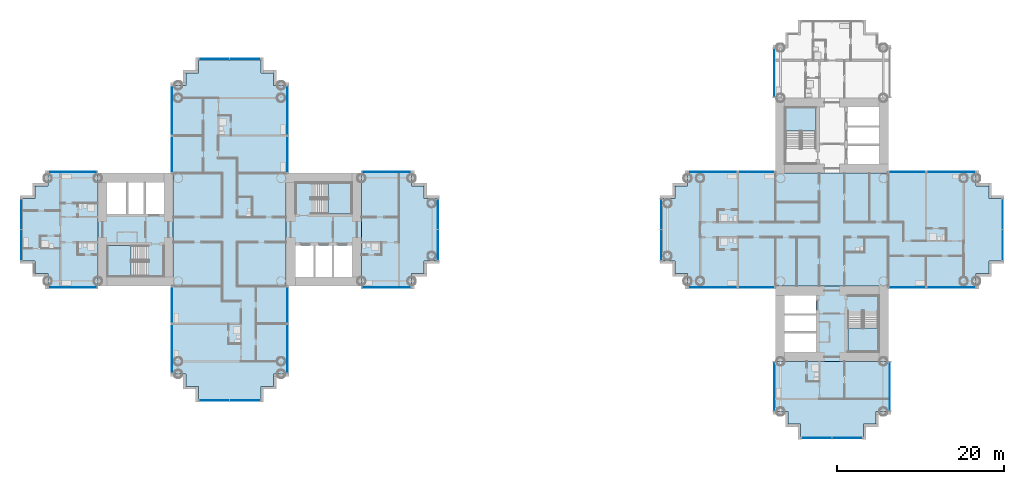
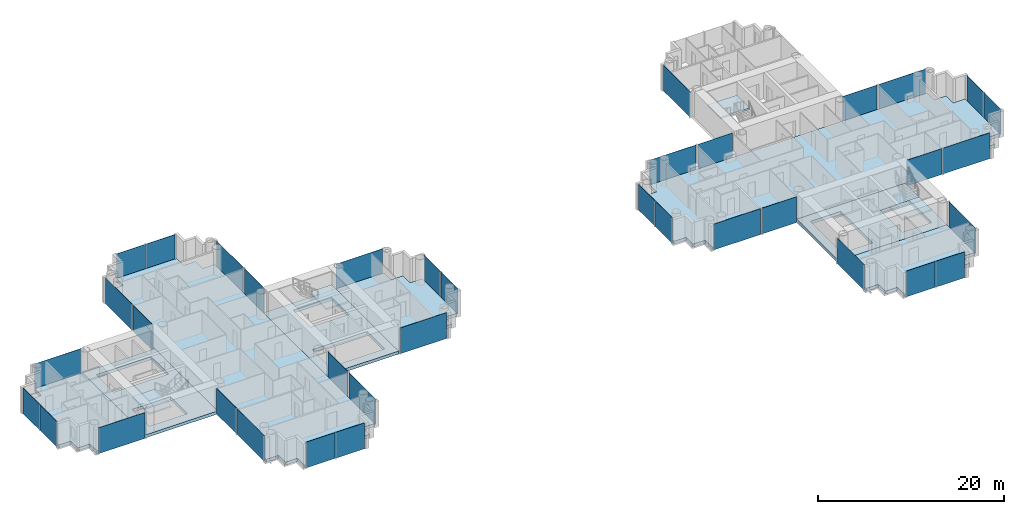
# One storey, part 7 of 21: 37 plates, 12 slabs, 34 elements without a shape of their own.
"""IFC4 building model written with IfcOpenShell, lengths in metres."""

from ifc_helpers import new_model, si_unit, direction, frame, origin, origin_2d, place, context, subcontext, project, spatial, polyline, rectangle, outline, extrude, material, layer, layer_set, type_object, element, aggregate, save


model = new_model("IFC4")

# Units and contexts
model_context = context("Model", 3, precision=1e-05, world=origin(), true_north=direction((0.0, 1.0)))
body_context = subcontext(model_context, "Body", "Model", "MODEL_VIEW")
ifc_project = project(units=[si_unit("LENGTHUNIT", "METRE"), si_unit("AREAUNIT", "SQUARE_METRE"), si_unit("VOLUMEUNIT", "CUBIC_METRE"), si_unit("PLANEANGLEUNIT", "RADIAN"), si_unit("MASSUNIT", "GRAM", prefix="KILO")], contexts=[model_context])

# Site, building, storey
site_placement = place(None, origin())
site = spatial("IfcSite", under=ifc_project, at=site_placement, CompositionType="ELEMENT")
building_placement = place(site_placement, origin())
building = spatial("IfcBuilding", under=site, at=building_placement, Name="Ipe Terrace Towers", CompositionType="ELEMENT")
storey_placement = place(building_placement, frame((0.0, 0.0, 34.699951171875)))
storey = spatial("IfcBuildingStorey", under=building, at=storey_placement, Name="L08", CompositionType="ELEMENT", Elevation=34.699951171875)

# Slabs
ifc_material_1 = material(Name="Concrete C30/37", Category="concrete")
ifc_layer_1 = layer(ifc_material_1, 0.39990234375)
ifc_layer_set_1 = layer_set([ifc_layer_1], Name="CORE FLOOR SLAB 400 C30-37")
slab_type_1 = type_object("IfcSlabType", Name="CORE FLOOR SLAB 400 C30-37", PredefinedType="FLOOR", material=ifc_layer_set_1)
slab_1_placement = place(storey_placement, frame((0.0, 0.0, -0.39990234375)))
element("IfcSlab", 1, at=slab_1_placement, inside=storey, type_object=slab_type_1, Name="Core floor T1-C1", PredefinedType="FLOOR", context=body_context, shape_type="SweptSolid", body=[
    extrude(outline(polyline([(-29.25, -6.75), (-29.25, 6.75), (-20.25, 6.75), (-20.25, -6.75), (-29.25, -6.75)]), holes=[polyline([(-28.14990234375, -5.64990234375), (-21.35009765625, -5.64990234375), (-21.35009765625, -1.89990234375), (-28.14990234375, -1.89990234375), (-28.14990234375, -5.64990234375)]), polyline([(-26.199951171875, 5.550048828125), (-26.199951171875, 1.89990234375), (-21.449951171875, 1.89990234375), (-21.449951171875, 5.550048828125), (-26.199951171875, 5.550048828125)])]), origin(), (0.0, 0.0, 1.0), 0.39990234375),
])
slab_2_placement = place(storey_placement, frame((0.0, 0.0, -0.39990234375)))
element("IfcSlab", 2, at=slab_2_placement, inside=storey, type_object=slab_type_1, Name="Core floor T1-C2", PredefinedType="FLOOR", context=body_context, shape_type="SweptSolid", body=[
    extrude(outline(polyline([(-51.75, -6.75), (-51.75, 6.75), (-42.75, 6.75), (-42.75, -6.75), (-51.75, -6.75)]), holes=[polyline([(-45.800048828125, -5.550048828125), (-45.800048828125, -1.89990234375), (-50.550048828125, -1.89990234375), (-50.550048828125, -5.550048828125), (-45.800048828125, -5.550048828125)]), polyline([(-50.64990234375, 1.89990234375), (-43.85009765625, 1.89990234375), (-43.85009765625, 5.64990234375), (-50.64990234375, 5.64990234375), (-50.64990234375, 1.89990234375)])]), origin(), (0.0, 0.0, 1.0), 0.39990234375),
])
slab_3_placement = place(storey_placement, frame((0.0, 0.0, -0.39990234375)))
element("IfcSlab", 3, at=slab_3_placement, inside=storey, type_object=slab_type_1, Name="Core floor T2-C2", PredefinedType="FLOOR", context=body_context, shape_type="SweptSolid", body=[
    extrude(outline(polyline([(29.25, -15.75), (29.25, -6.75), (42.75, -6.75), (42.75, -15.75), (29.25, -15.75)]), holes=[polyline([(34.10009765625, -14.64990234375), (34.10009765625, -7.85009765625), (30.35009765625, -7.85009765625), (30.35009765625, -14.64990234375), (34.10009765625, -14.64990234375)]), polyline([(41.550048828125, -9.800048828125), (37.89990234375, -9.800048828125), (37.89990234375, -14.550048828125), (41.550048828125, -14.550048828125), (41.550048828125, -9.800048828125)])]), origin(), (0.0, 0.0, 1.0), 0.39990234375),
])

# Stair, slab
ifc_material_2 = material(Name="Concrete C30/37", Category="concrete")
stair_type = type_object("IfcStairType", Name="Protected exit stair", PredefinedType="HALF_TURN_STAIR", material=ifc_material_2)
stair_1_placement = place(storey_placement, origin())
stair_1 = element("IfcStair", 4, at=stair_1_placement, inside=storey, type_object=stair_type, Name="L08 Exit stair T1-C1", PredefinedType="HALF_TURN_STAIR")
ifc_material_3 = material(Name="Concrete C30/37", Category="concrete")
ifc_layer_2 = layer(ifc_material_3, 0.199951171875)
ifc_layer_set_2 = layer_set([ifc_layer_2], Name="Exit stair landing 200")
slab_type_2 = type_object("IfcSlabType", Name="Exit stair landing 200", PredefinedType="LANDING", material=ifc_layer_set_2)
slab_4_placement = place(storey_placement, frame((0.0, 0.0, 1.5)))
slab_4 = element("IfcSlab", 5, at=slab_4_placement, type_object=slab_type_2, Name="T1-ST1 landing 1", PredefinedType="LANDING", context=body_context, shape_type="SweptSolid", body=[
    extrude(outline(polyline([(-24.219970703125, 1.89990234375), (-21.449951171875, 1.89990234375), (-21.449951171875, 5.550048828125), (-24.219970703125, 5.550048828125), (-24.219970703125, 1.89990234375)])), origin(), (0.0, 0.0, 1.0), 0.199951171875),
])
aggregate(stair_1, [slab_4])

stair_2_placement = place(storey_placement, origin())
stair_2 = element("IfcStair", 6, at=stair_2_placement, inside=storey, type_object=stair_type, Name="L08 Exit stair T1-C2", PredefinedType="HALF_TURN_STAIR")
slab_5_placement = place(storey_placement, frame((0.0, 0.0, 1.5)))
slab_5 = element("IfcSlab", 7, at=slab_5_placement, type_object=slab_type_2, Name="T1-ST2 landing 1", PredefinedType="LANDING", context=body_context, shape_type="SweptSolid", body=[
    extrude(outline(polyline([(-47.780029296875, -1.89990234375), (-50.550048828125, -1.89990234375), (-50.550048828125, -5.550048828125), (-47.780029296875, -5.550048828125), (-47.780029296875, -1.89990234375)])), origin(), (0.0, 0.0, 1.0), 0.199951171875),
])
aggregate(stair_2, [slab_5])

stair_3_placement = place(storey_placement, origin())
stair_3 = element("IfcStair", 8, at=stair_3_placement, inside=storey, type_object=stair_type, Name="L08 Exit stair T2-C1", PredefinedType="HALF_TURN_STAIR")
slab_6_placement = place(storey_placement, frame((0.0, 0.0, 1.5)))
slab_6 = element("IfcSlab", 9, at=slab_6_placement, type_object=slab_type_2, Name="T2-ST1 landing 1", PredefinedType="LANDING", context=body_context, shape_type="SweptSolid", body=[
    extrude(outline(polyline([(34.10009765625, 11.780029296875), (34.10009765625, 14.550048828125), (30.449951171875, 14.550048828125), (30.449951171875, 11.780029296875), (34.10009765625, 11.780029296875)])), origin(), (0.0, 0.0, 1.0), 0.199951171875),
])
aggregate(stair_3, [slab_6])

stair_4_placement = place(storey_placement, origin())
stair_4 = element("IfcStair", 10, at=stair_4_placement, inside=storey, type_object=stair_type, Name="L08 Exit stair T2-C2", PredefinedType="HALF_TURN_STAIR")
slab_7_placement = place(storey_placement, frame((0.0, 0.0, 1.5)))
slab_7 = element("IfcSlab", 11, at=slab_7_placement, type_object=slab_type_2, Name="T2-ST2 landing 1", PredefinedType="LANDING", context=body_context, shape_type="SweptSolid", body=[
    extrude(outline(polyline([(37.89990234375, -11.780029296875), (37.89990234375, -14.550048828125), (41.550048828125, -14.550048828125), (41.550048828125, -11.780029296875), (37.89990234375, -11.780029296875)])), origin(), (0.0, 0.0, 1.0), 0.199951171875),
])
aggregate(stair_4, [slab_7])

# Slabs
ifc_material_4 = material(Name="Concrete C40/50", Category="concrete")
ifc_layer_3 = layer(ifc_material_4, 0.39990234375)
ifc_layer_set_3 = layer_set([ifc_layer_3], Name="FLAT PLATE SLAB 400 C40-50")
slab_type_3 = type_object("IfcSlabType", Name="FLAT PLATE SLAB 400 C40-50", PredefinedType="FLOOR", material=ifc_layer_set_3)
slab_8_placement = place(storey_placement, frame((0.0, 0.0, -0.39990234375)))
element("IfcSlab", 12, at=slab_8_placement, inside=storey, type_object=slab_type_3, Name="Slab T1-FS-Z11", PredefinedType="FLOOR", context=body_context, shape_type="SweptSolid", body=[
    extrude(outline(polyline([(-30.75, -17.25), (-30.75, -18.75), (-32.25, -18.75), (-32.25, -20.25), (-39.75, -20.25), (-39.75, -18.75), (-41.25, -18.75), (-41.25, -17.25), (-42.75, -17.25), (-42.75, -6.75), (-42.75, 6.75), (-42.75, 17.25), (-41.25, 17.25), (-41.25, 18.75), (-39.75, 18.75), (-39.75, 20.25), (-32.25, 20.25), (-32.25, 18.75), (-30.75, 18.75), (-30.75, 17.25), (-29.25, 17.25), (-29.25, 6.75), (-29.25, -6.75), (-29.25, -17.25), (-30.75, -17.25)])), origin(), (0.0, 0.0, 1.0), 0.39990234375),
])
slab_9_placement = place(storey_placement, frame((0.0, 0.0, -0.39990234375)))
element("IfcSlab", 13, at=slab_9_placement, inside=storey, type_object=slab_type_3, Name="Slab T1-FS-Z12", PredefinedType="FLOOR", context=body_context, shape_type="SweptSolid", body=[
    extrude(outline(polyline([(-57.75, -6.75), (-57.75, -5.25), (-59.25, -5.25), (-59.25, -3.75), (-60.75, -3.75), (-60.75, 3.75), (-59.25, 3.75), (-59.25, 5.25), (-57.75, 5.25), (-57.75, 6.75), (-51.75, 6.75), (-51.75, -6.75), (-57.75, -6.75)])), origin(), (0.0, 0.0, 1.0), 0.39990234375),
])
slab_10_placement = place(storey_placement, frame((0.0, 0.0, -0.39990234375)))
element("IfcSlab", 14, at=slab_10_placement, inside=storey, type_object=slab_type_3, Name="Slab T1-FS-Z13", PredefinedType="FLOOR", context=body_context, shape_type="SweptSolid", body=[
    extrude(outline(polyline([(-14.25, 5.25), (-12.75, 5.25), (-12.75, 3.75), (-11.25, 3.75), (-11.25, -3.75), (-12.75, -3.75), (-12.75, -5.25), (-14.25, -5.25), (-14.25, -6.75), (-20.25, -6.75), (-20.25, 6.75), (-14.25, 6.75), (-14.25, 5.25)])), origin(), (0.0, 0.0, 1.0), 0.39990234375),
])
slab_11_placement = place(storey_placement, frame((0.0, 0.0, -0.39990234375)))
element("IfcSlab", 15, at=slab_11_placement, inside=storey, type_object=slab_type_3, Name="Slab T2-FS-Z11", PredefinedType="FLOOR", context=body_context, shape_type="SweptSolid", body=[
    extrude(outline(polyline([(53.25, 5.25), (54.75, 5.25), (54.75, 3.75), (56.25, 3.75), (56.25, -3.75), (54.75, -3.75), (54.75, -5.25), (53.25, -5.25), (53.25, -6.75), (42.75, -6.75), (29.25, -6.75), (18.75, -6.75), (18.75, -5.25), (17.25, -5.25), (17.25, -3.75), (15.75, -3.75), (15.75, 3.75), (17.25, 3.75), (17.25, 5.25), (18.75, 5.25), (18.75, 6.75), (29.25, 6.75), (42.75, 6.75), (53.25, 6.75), (53.25, 5.25)])), origin(), (0.0, 0.0, 1.0), 0.39990234375),
])
slab_12_placement = place(storey_placement, frame((0.0, 0.0, -0.39990234375)))
element("IfcSlab", 16, at=slab_12_placement, inside=storey, type_object=slab_type_3, Name="Slab T2-FS-Z12", PredefinedType="FLOOR", context=body_context, shape_type="SweptSolid", body=[
    extrude(outline(polyline([(42.75, -21.75), (41.25, -21.75), (41.25, -23.25), (39.75, -23.25), (39.75, -24.75), (32.25, -24.75), (32.25, -23.25), (30.75, -23.25), (30.75, -21.75), (29.25, -21.75), (29.25, -15.75), (42.75, -15.75), (42.75, -21.75)])), origin(), (0.0, 0.0, 1.0), 0.39990234375),
])

# Curtain wall, plate
ifc_material_5 = material(Name="Aluminium alloy 6063-T6", Category="aluminium")
ifc_layer_4 = layer(ifc_material_5, 0.320068359375)
ifc_layer_set_4 = layer_set([ifc_layer_4], Name="TOWER UNITISED CURTAIN WALL")
curtain_wall_type = type_object("IfcCurtainWallType", Name="TOWER UNITISED CURTAIN WALL", PredefinedType="NOTDEFINED", material=ifc_layer_set_4)
curtain_wall_1_placement = place(storey_placement, origin())
curtain_wall_1 = element("IfcCurtainWall", 17, at=curtain_wall_1_placement, inside=storey, type_object=curtain_wall_type, Name="T1-CW-L08-04a curtain wall", PredefinedType="NOTDEFINED")
ifc_material_6 = material(Name="Glass, clear laminated", Category="glass")
ifc_layer_5 = layer(ifc_material_6, 0.031982421875)
ifc_layer_set_5 = layer_set([ifc_layer_5], Name="TOWER UNITISED GLASS PANEL 32")
plate_type = type_object("IfcPlateType", Name="TOWER UNITISED GLASS PANEL 32", PredefinedType="CURTAIN_PANEL", material=ifc_layer_set_5)
plate_1_placement = place(storey_placement, frame((-54.75048828125, -6.909912109375, -0.2998046875), z_axis=(0.0, 0.0, 1.0), x_axis=(1.0, 0.0, 0.0)))
plate_1 = element("IfcPlate", 18, at=plate_1_placement, type_object=plate_type, Name="T1-CW-L08-04a panel 1", PredefinedType="CURTAIN_PANEL", context=body_context, shape_type="SweptSolid", body=[
    extrude(rectangle(XDim=5.759033203125, YDim=0.031982421875, at=origin_2d()), origin(), (0.0, 0.0, 1.0), 3.39990234375),
])
aggregate(curtain_wall_1, [plate_1])

curtain_wall_2_placement = place(storey_placement, origin())
curtain_wall_2 = element("IfcCurtainWall", 19, at=curtain_wall_2_placement, inside=storey, type_object=curtain_wall_type, Name="T1-CW-L08-06a curtain wall", PredefinedType="NOTDEFINED")
plate_2_placement = place(storey_placement, frame((-42.909912109375, -9.0, -0.2998046875), z_axis=(0.0, 0.0, 1.0), x_axis=(0.0, -1.0, 0.0)))
plate_2 = element("IfcPlate", 20, at=plate_2_placement, type_object=plate_type, Name="T1-CW-L08-06a panel 1", PredefinedType="CURTAIN_PANEL", context=body_context, shape_type="SweptSolid", body=[
    extrude(rectangle(XDim=4.260009765625, YDim=0.031982421875, at=origin_2d()), origin(), (0.0, 0.0, 1.0), 3.39990234375),
])
aggregate(curtain_wall_2, [plate_2])

curtain_wall_3_placement = place(storey_placement, origin())
curtain_wall_3 = element("IfcCurtainWall", 21, at=curtain_wall_3_placement, inside=storey, type_object=curtain_wall_type, Name="T1-CW-L08-07a curtain wall", PredefinedType="NOTDEFINED")
plate_3_placement = place(storey_placement, frame((-42.909912109375, -14.25, -0.2998046875), z_axis=(0.0, 0.0, 1.0), x_axis=(0.0, -1.0, 0.0)))
plate_3 = element("IfcPlate", 22, at=plate_3_placement, type_object=plate_type, Name="T1-CW-L08-07a panel 1", PredefinedType="CURTAIN_PANEL", context=body_context, shape_type="SweptSolid", body=[
    extrude(rectangle(XDim=5.760009765625, YDim=0.031982421875, at=origin_2d()), origin(), (0.0, 0.0, 1.0), 3.39990234375),
])
aggregate(curtain_wall_3, [plate_3])

# Curtain wall, plates
curtain_wall_4_placement = place(storey_placement, origin())
curtain_wall_4 = element("IfcCurtainWall", 23, at=curtain_wall_4_placement, inside=storey, type_object=curtain_wall_type, Name="T1-CW-L08-12a curtain wall", PredefinedType="NOTDEFINED")
plate_4_placement = place(storey_placement, frame((-37.831298828125, -20.409912109375, -0.2998046875), z_axis=(0.0, 0.0, 1.0), x_axis=(1.0, 0.0, 0.0)))
plate_4 = element("IfcPlate", 24, at=plate_4_placement, type_object=plate_type, Name="T1-CW-L08-12a panel 1", PredefinedType="CURTAIN_PANEL", context=body_context, shape_type="SweptSolid", body=[
    extrude(rectangle(XDim=3.597412109375, YDim=0.031982421875, at=origin_2d()), origin(), (0.0, 0.0, 1.0), 3.39990234375),
])
plate_5_placement = place(storey_placement, frame((-34.168701171875, -20.409912109375, -0.2998046875), z_axis=(0.0, 0.0, 1.0), x_axis=(1.0, 0.0, 0.0)))
plate_5 = element("IfcPlate", 25, at=plate_5_placement, type_object=plate_type, Name="T1-CW-L08-12a panel 2", PredefinedType="CURTAIN_PANEL", context=body_context, shape_type="SweptSolid", body=[
    extrude(rectangle(XDim=3.597412109375, YDim=0.031982421875, at=origin_2d()), origin(), (0.0, 0.0, 1.0), 3.39990234375),
])
aggregate(curtain_wall_4, [plate_4, plate_5])

# Curtain wall, plate
curtain_wall_5_placement = place(storey_placement, origin())
curtain_wall_5 = element("IfcCurtainWall", 26, at=curtain_wall_5_placement, inside=storey, type_object=curtain_wall_type, Name="T1-CW-L08-17a curtain wall", PredefinedType="NOTDEFINED")
plate_6_placement = place(storey_placement, frame((-29.090087890625, -14.25, -0.2998046875), z_axis=(0.0, 0.0, 1.0), x_axis=(0.0, 1.0, 0.0)))
plate_6 = element("IfcPlate", 27, at=plate_6_placement, type_object=plate_type, Name="T1-CW-L08-17a panel 1", PredefinedType="CURTAIN_PANEL", context=body_context, shape_type="SweptSolid", body=[
    extrude(rectangle(XDim=5.760009765625, YDim=0.031982421875, at=origin_2d()), origin(), (0.0, 0.0, 1.0), 3.39990234375),
])
aggregate(curtain_wall_5, [plate_6])

curtain_wall_6_placement = place(storey_placement, origin())
curtain_wall_6 = element("IfcCurtainWall", 28, at=curtain_wall_6_placement, inside=storey, type_object=curtain_wall_type, Name="T1-CW-L08-18a curtain wall", PredefinedType="NOTDEFINED")
plate_7_placement = place(storey_placement, frame((-29.090087890625, -9.0, -0.2998046875), z_axis=(0.0, 0.0, 1.0), x_axis=(0.0, 1.0, 0.0)))
plate_7 = element("IfcPlate", 29, at=plate_7_placement, type_object=plate_type, Name="T1-CW-L08-18a panel 1", PredefinedType="CURTAIN_PANEL", context=body_context, shape_type="SweptSolid", body=[
    extrude(rectangle(XDim=4.260009765625, YDim=0.031982421875, at=origin_2d()), origin(), (0.0, 0.0, 1.0), 3.39990234375),
])
aggregate(curtain_wall_6, [plate_7])

curtain_wall_7_placement = place(storey_placement, origin())
curtain_wall_7 = element("IfcCurtainWall", 30, at=curtain_wall_7_placement, inside=storey, type_object=curtain_wall_type, Name="T1-CW-L08-20b curtain wall", PredefinedType="NOTDEFINED")
plate_8_placement = place(storey_placement, frame((-17.24951171875, -6.909912109375, -0.2998046875), z_axis=(0.0, 0.0, 1.0), x_axis=(1.0, 0.0, 0.0)))
plate_8 = element("IfcPlate", 31, at=plate_8_placement, type_object=plate_type, Name="T1-CW-L08-20b panel 1", PredefinedType="CURTAIN_PANEL", context=body_context, shape_type="SweptSolid", body=[
    extrude(rectangle(XDim=5.759033203125, YDim=0.031982421875, at=origin_2d()), origin(), (0.0, 0.0, 1.0), 3.39990234375),
])
aggregate(curtain_wall_7, [plate_8])

# Curtain wall, plates
curtain_wall_8_placement = place(storey_placement, origin())
curtain_wall_8 = element("IfcCurtainWall", 32, at=curtain_wall_8_placement, inside=storey, type_object=curtain_wall_type, Name="T1-CW-L08-25a curtain wall", PredefinedType="NOTDEFINED")
plate_9_placement = place(storey_placement, frame((-11.090087890625, -1.831298828125, -0.2998046875), z_axis=(0.0, 0.0, 1.0), x_axis=(0.0, 1.0, 0.0)))
plate_9 = element("IfcPlate", 33, at=plate_9_placement, type_object=plate_type, Name="T1-CW-L08-25a panel 1", PredefinedType="CURTAIN_PANEL", context=body_context, shape_type="SweptSolid", body=[
    extrude(rectangle(XDim=3.597412109375, YDim=0.031982421875, at=origin_2d()), origin(), (0.0, 0.0, 1.0), 3.39990234375),
])
plate_10_placement = place(storey_placement, frame((-11.090087890625, 1.831298828125, -0.2998046875), z_axis=(0.0, 0.0, 1.0), x_axis=(0.0, 1.0, 0.0)))
plate_10 = element("IfcPlate", 34, at=plate_10_placement, type_object=plate_type, Name="T1-CW-L08-25a panel 2", PredefinedType="CURTAIN_PANEL", context=body_context, shape_type="SweptSolid", body=[
    extrude(rectangle(XDim=3.597412109375, YDim=0.031982421875, at=origin_2d()), origin(), (0.0, 0.0, 1.0), 3.39990234375),
])
aggregate(curtain_wall_8, [plate_9, plate_10])

# Curtain wall, plate
curtain_wall_9_placement = place(storey_placement, origin())
curtain_wall_9 = element("IfcCurtainWall", 35, at=curtain_wall_9_placement, inside=storey, type_object=curtain_wall_type, Name="T1-CW-L08-30a curtain wall", PredefinedType="NOTDEFINED")
plate_11_placement = place(storey_placement, frame((-17.24951171875, 6.909912109375, -0.2998046875), z_axis=(0.0, 0.0, 1.0), x_axis=(-1.0, 0.0, 0.0)))
plate_11 = element("IfcPlate", 36, at=plate_11_placement, type_object=plate_type, Name="T1-CW-L08-30a panel 1", PredefinedType="CURTAIN_PANEL", context=body_context, shape_type="SweptSolid", body=[
    extrude(rectangle(XDim=5.759033203125, YDim=0.031982421875, at=origin_2d()), origin(), (0.0, 0.0, 1.0), 3.39990234375),
])
aggregate(curtain_wall_9, [plate_11])

curtain_wall_10_placement = place(storey_placement, origin())
curtain_wall_10 = element("IfcCurtainWall", 37, at=curtain_wall_10_placement, inside=storey, type_object=curtain_wall_type, Name="T1-CW-L08-32a curtain wall", PredefinedType="NOTDEFINED")
plate_12_placement = place(storey_placement, frame((-29.090087890625, 9.0, -0.2998046875), z_axis=(0.0, 0.0, 1.0), x_axis=(0.0, 1.0, 0.0)))
plate_12 = element("IfcPlate", 38, at=plate_12_placement, type_object=plate_type, Name="T1-CW-L08-32a panel 1", PredefinedType="CURTAIN_PANEL", context=body_context, shape_type="SweptSolid", body=[
    extrude(rectangle(XDim=4.260009765625, YDim=0.031982421875, at=origin_2d()), origin(), (0.0, 0.0, 1.0), 3.39990234375),
])
aggregate(curtain_wall_10, [plate_12])

curtain_wall_11_placement = place(storey_placement, origin())
curtain_wall_11 = element("IfcCurtainWall", 39, at=curtain_wall_11_placement, inside=storey, type_object=curtain_wall_type, Name="T1-CW-L08-33a curtain wall", PredefinedType="NOTDEFINED")
plate_13_placement = place(storey_placement, frame((-29.090087890625, 14.25, -0.2998046875), z_axis=(0.0, 0.0, 1.0), x_axis=(0.0, 1.0, 0.0)))
plate_13 = element("IfcPlate", 40, at=plate_13_placement, type_object=plate_type, Name="T1-CW-L08-33a panel 1", PredefinedType="CURTAIN_PANEL", context=body_context, shape_type="SweptSolid", body=[
    extrude(rectangle(XDim=5.760009765625, YDim=0.031982421875, at=origin_2d()), origin(), (0.0, 0.0, 1.0), 3.39990234375),
])
aggregate(curtain_wall_11, [plate_13])

# Curtain wall, plates
curtain_wall_12_placement = place(storey_placement, origin())
curtain_wall_12 = element("IfcCurtainWall", 41, at=curtain_wall_12_placement, inside=storey, type_object=curtain_wall_type, Name="T1-CW-L08-38a curtain wall", PredefinedType="NOTDEFINED")
plate_14_placement = place(storey_placement, frame((-34.168701171875, 20.409912109375, -0.2998046875), z_axis=(0.0, 0.0, 1.0), x_axis=(-1.0, 0.0, 0.0)))
plate_14 = element("IfcPlate", 42, at=plate_14_placement, type_object=plate_type, Name="T1-CW-L08-38a panel 1", PredefinedType="CURTAIN_PANEL", context=body_context, shape_type="SweptSolid", body=[
    extrude(rectangle(XDim=3.597412109375, YDim=0.031982421875, at=origin_2d()), origin(), (0.0, 0.0, 1.0), 3.39990234375),
])
plate_15_placement = place(storey_placement, frame((-37.831298828125, 20.409912109375, -0.2998046875), z_axis=(0.0, 0.0, 1.0), x_axis=(-1.0, 0.0, 0.0)))
plate_15 = element("IfcPlate", 43, at=plate_15_placement, type_object=plate_type, Name="T1-CW-L08-38a panel 2", PredefinedType="CURTAIN_PANEL", context=body_context, shape_type="SweptSolid", body=[
    extrude(rectangle(XDim=3.597412109375, YDim=0.031982421875, at=origin_2d()), origin(), (0.0, 0.0, 1.0), 3.39990234375),
])
aggregate(curtain_wall_12, [plate_14, plate_15])

# Curtain wall, plate
curtain_wall_13_placement = place(storey_placement, origin())
curtain_wall_13 = element("IfcCurtainWall", 44, at=curtain_wall_13_placement, inside=storey, type_object=curtain_wall_type, Name="T1-CW-L08-43a curtain wall", PredefinedType="NOTDEFINED")
plate_16_placement = place(storey_placement, frame((-42.909912109375, 14.25, -0.2998046875), z_axis=(0.0, 0.0, 1.0), x_axis=(0.0, -1.0, 0.0)))
plate_16 = element("IfcPlate", 45, at=plate_16_placement, type_object=plate_type, Name="T1-CW-L08-43a panel 1", PredefinedType="CURTAIN_PANEL", context=body_context, shape_type="SweptSolid", body=[
    extrude(rectangle(XDim=5.760009765625, YDim=0.031982421875, at=origin_2d()), origin(), (0.0, 0.0, 1.0), 3.39990234375),
])
aggregate(curtain_wall_13, [plate_16])

curtain_wall_14_placement = place(storey_placement, origin())
curtain_wall_14 = element("IfcCurtainWall", 46, at=curtain_wall_14_placement, inside=storey, type_object=curtain_wall_type, Name="T1-CW-L08-44a curtain wall", PredefinedType="NOTDEFINED")
plate_17_placement = place(storey_placement, frame((-42.909912109375, 9.0, -0.2998046875), z_axis=(0.0, 0.0, 1.0), x_axis=(0.0, -1.0, 0.0)))
plate_17 = element("IfcPlate", 47, at=plate_17_placement, type_object=plate_type, Name="T1-CW-L08-44a panel 1", PredefinedType="CURTAIN_PANEL", context=body_context, shape_type="SweptSolid", body=[
    extrude(rectangle(XDim=4.260009765625, YDim=0.031982421875, at=origin_2d()), origin(), (0.0, 0.0, 1.0), 3.39990234375),
])
aggregate(curtain_wall_14, [plate_17])

curtain_wall_15_placement = place(storey_placement, origin())
curtain_wall_15 = element("IfcCurtainWall", 48, at=curtain_wall_15_placement, inside=storey, type_object=curtain_wall_type, Name="T1-CW-L08-46b curtain wall", PredefinedType="NOTDEFINED")
plate_18_placement = place(storey_placement, frame((-54.75048828125, 6.909912109375, -0.2998046875), z_axis=(0.0, 0.0, 1.0), x_axis=(-1.0, 0.0, 0.0)))
plate_18 = element("IfcPlate", 49, at=plate_18_placement, type_object=plate_type, Name="T1-CW-L08-46b panel 1", PredefinedType="CURTAIN_PANEL", context=body_context, shape_type="SweptSolid", body=[
    extrude(rectangle(XDim=5.759033203125, YDim=0.031982421875, at=origin_2d()), origin(), (0.0, 0.0, 1.0), 3.39990234375),
])
aggregate(curtain_wall_15, [plate_18])

# Curtain wall, plates
curtain_wall_16_placement = place(storey_placement, origin())
curtain_wall_16 = element("IfcCurtainWall", 50, at=curtain_wall_16_placement, inside=storey, type_object=curtain_wall_type, Name="T1-CW-L08-51a curtain wall", PredefinedType="NOTDEFINED")
plate_19_placement = place(storey_placement, frame((-60.909912109375, 1.831298828125, -0.2998046875), z_axis=(0.0, 0.0, 1.0), x_axis=(0.0, -1.0, 0.0)))
plate_19 = element("IfcPlate", 51, at=plate_19_placement, type_object=plate_type, Name="T1-CW-L08-51a panel 1", PredefinedType="CURTAIN_PANEL", context=body_context, shape_type="SweptSolid", body=[
    extrude(rectangle(XDim=3.597412109375, YDim=0.031982421875, at=origin_2d()), origin(), (0.0, 0.0, 1.0), 3.39990234375),
])
plate_20_placement = place(storey_placement, frame((-60.909912109375, -1.831298828125, -0.2998046875), z_axis=(0.0, 0.0, 1.0), x_axis=(0.0, -1.0, 0.0)))
plate_20 = element("IfcPlate", 52, at=plate_20_placement, type_object=plate_type, Name="T1-CW-L08-51a panel 2", PredefinedType="CURTAIN_PANEL", context=body_context, shape_type="SweptSolid", body=[
    extrude(rectangle(XDim=3.597412109375, YDim=0.031982421875, at=origin_2d()), origin(), (0.0, 0.0, 1.0), 3.39990234375),
])
aggregate(curtain_wall_16, [plate_19, plate_20])

# Curtain wall, plate
curtain_wall_17_placement = place(storey_placement, origin())
curtain_wall_17 = element("IfcCurtainWall", 53, at=curtain_wall_17_placement, inside=storey, type_object=curtain_wall_type, Name="T2-CW-L08-04a curtain wall", PredefinedType="NOTDEFINED")
plate_21_placement = place(storey_placement, frame((42.909912109375, -18.75048828125, -0.2998046875), z_axis=(0.0, 0.0, 1.0), x_axis=(0.0, 1.0, 0.0)))
plate_21 = element("IfcPlate", 54, at=plate_21_placement, type_object=plate_type, Name="T2-CW-L08-04a panel 1", PredefinedType="CURTAIN_PANEL", context=body_context, shape_type="SweptSolid", body=[
    extrude(rectangle(XDim=5.759033203125, YDim=0.031982421875, at=origin_2d()), origin(), (0.0, 0.0, 1.0), 3.39990234375),
])
aggregate(curtain_wall_17, [plate_21])

curtain_wall_18_placement = place(storey_placement, origin())
curtain_wall_18 = element("IfcCurtainWall", 55, at=curtain_wall_18_placement, inside=storey, type_object=curtain_wall_type, Name="T2-CW-L08-06a curtain wall", PredefinedType="NOTDEFINED")
plate_22_placement = place(storey_placement, frame((45.0, -6.909912109375, -0.2998046875), z_axis=(0.0, 0.0, 1.0), x_axis=(1.0, 0.0, 0.0)))
plate_22 = element("IfcPlate", 56, at=plate_22_placement, type_object=plate_type, Name="T2-CW-L08-06a panel 1", PredefinedType="CURTAIN_PANEL", context=body_context, shape_type="SweptSolid", body=[
    extrude(rectangle(XDim=4.260009765625, YDim=0.031982421875, at=origin_2d()), origin(), (0.0, 0.0, 1.0), 3.39990234375),
])
aggregate(curtain_wall_18, [plate_22])

curtain_wall_19_placement = place(storey_placement, origin())
curtain_wall_19 = element("IfcCurtainWall", 57, at=curtain_wall_19_placement, inside=storey, type_object=curtain_wall_type, Name="T2-CW-L08-07a curtain wall", PredefinedType="NOTDEFINED")
plate_23_placement = place(storey_placement, frame((50.25, -6.909912109375, -0.2998046875), z_axis=(0.0, 0.0, 1.0), x_axis=(1.0, 0.0, 0.0)))
plate_23 = element("IfcPlate", 58, at=plate_23_placement, type_object=plate_type, Name="T2-CW-L08-07a panel 1", PredefinedType="CURTAIN_PANEL", context=body_context, shape_type="SweptSolid", body=[
    extrude(rectangle(XDim=5.760009765625, YDim=0.031982421875, at=origin_2d()), origin(), (0.0, 0.0, 1.0), 3.39990234375),
])
aggregate(curtain_wall_19, [plate_23])

# Curtain wall, plates
curtain_wall_20_placement = place(storey_placement, origin())
curtain_wall_20 = element("IfcCurtainWall", 59, at=curtain_wall_20_placement, inside=storey, type_object=curtain_wall_type, Name="T2-CW-L08-12a curtain wall", PredefinedType="NOTDEFINED")
plate_24_placement = place(storey_placement, frame((56.409912109375, -1.831298828125, -0.2998046875), z_axis=(0.0, 0.0, 1.0), x_axis=(0.0, 1.0, 0.0)))
plate_24 = element("IfcPlate", 60, at=plate_24_placement, type_object=plate_type, Name="T2-CW-L08-12a panel 1", PredefinedType="CURTAIN_PANEL", context=body_context, shape_type="SweptSolid", body=[
    extrude(rectangle(XDim=3.597412109375, YDim=0.031982421875, at=origin_2d()), origin(), (0.0, 0.0, 1.0), 3.39990234375),
])
plate_25_placement = place(storey_placement, frame((56.409912109375, 1.831298828125, -0.2998046875), z_axis=(0.0, 0.0, 1.0), x_axis=(0.0, 1.0, 0.0)))
plate_25 = element("IfcPlate", 61, at=plate_25_placement, type_object=plate_type, Name="T2-CW-L08-12a panel 2", PredefinedType="CURTAIN_PANEL", context=body_context, shape_type="SweptSolid", body=[
    extrude(rectangle(XDim=3.597412109375, YDim=0.031982421875, at=origin_2d()), origin(), (0.0, 0.0, 1.0), 3.39990234375),
])
aggregate(curtain_wall_20, [plate_24, plate_25])

# Curtain wall, plate
curtain_wall_21_placement = place(storey_placement, origin())
curtain_wall_21 = element("IfcCurtainWall", 62, at=curtain_wall_21_placement, inside=storey, type_object=curtain_wall_type, Name="T2-CW-L08-17a curtain wall", PredefinedType="NOTDEFINED")
plate_26_placement = place(storey_placement, frame((50.25, 6.909912109375, -0.2998046875), z_axis=(0.0, 0.0, 1.0), x_axis=(-1.0, 0.0, 0.0)))
plate_26 = element("IfcPlate", 63, at=plate_26_placement, type_object=plate_type, Name="T2-CW-L08-17a panel 1", PredefinedType="CURTAIN_PANEL", context=body_context, shape_type="SweptSolid", body=[
    extrude(rectangle(XDim=5.760009765625, YDim=0.031982421875, at=origin_2d()), origin(), (0.0, 0.0, 1.0), 3.39990234375),
])
aggregate(curtain_wall_21, [plate_26])

curtain_wall_22_placement = place(storey_placement, origin())
curtain_wall_22 = element("IfcCurtainWall", 64, at=curtain_wall_22_placement, inside=storey, type_object=curtain_wall_type, Name="T2-CW-L08-18a curtain wall", PredefinedType="NOTDEFINED")
plate_27_placement = place(storey_placement, frame((45.0, 6.909912109375, -0.2998046875), z_axis=(0.0, 0.0, 1.0), x_axis=(-1.0, 0.0, 0.0)))
plate_27 = element("IfcPlate", 65, at=plate_27_placement, type_object=plate_type, Name="T2-CW-L08-18a panel 1", PredefinedType="CURTAIN_PANEL", context=body_context, shape_type="SweptSolid", body=[
    extrude(rectangle(XDim=4.260009765625, YDim=0.031982421875, at=origin_2d()), origin(), (0.0, 0.0, 1.0), 3.39990234375),
])
aggregate(curtain_wall_22, [plate_27])

curtain_wall_23_placement = place(storey_placement, origin())
curtain_wall_23 = element("IfcCurtainWall", 66, at=curtain_wall_23_placement, inside=storey, type_object=curtain_wall_type, Name="T2-CW-L08-30a curtain wall", PredefinedType="NOTDEFINED")
plate_28_placement = place(storey_placement, frame((29.090087890625, 18.75048828125, -0.2998046875), z_axis=(0.0, 0.0, 1.0), x_axis=(0.0, -1.0, 0.0)))
plate_28 = element("IfcPlate", 67, at=plate_28_placement, type_object=plate_type, Name="T2-CW-L08-30a panel 1", PredefinedType="CURTAIN_PANEL", context=body_context, shape_type="SweptSolid", body=[
    extrude(rectangle(XDim=5.759033203125, YDim=0.031982421875, at=origin_2d()), origin(), (0.0, 0.0, 1.0), 3.39990234375),
])
aggregate(curtain_wall_23, [plate_28])

curtain_wall_24_placement = place(storey_placement, origin())
curtain_wall_24 = element("IfcCurtainWall", 68, at=curtain_wall_24_placement, inside=storey, type_object=curtain_wall_type, Name="T2-CW-L08-32a curtain wall", PredefinedType="NOTDEFINED")
plate_29_placement = place(storey_placement, frame((27.0, 6.909912109375, -0.2998046875), z_axis=(0.0, 0.0, 1.0), x_axis=(-1.0, 0.0, 0.0)))
plate_29 = element("IfcPlate", 69, at=plate_29_placement, type_object=plate_type, Name="T2-CW-L08-32a panel 1", PredefinedType="CURTAIN_PANEL", context=body_context, shape_type="SweptSolid", body=[
    extrude(rectangle(XDim=4.260009765625, YDim=0.031982421875, at=origin_2d()), origin(), (0.0, 0.0, 1.0), 3.39990234375),
])
aggregate(curtain_wall_24, [plate_29])

curtain_wall_25_placement = place(storey_placement, origin())
curtain_wall_25 = element("IfcCurtainWall", 70, at=curtain_wall_25_placement, inside=storey, type_object=curtain_wall_type, Name="T2-CW-L08-33a curtain wall", PredefinedType="NOTDEFINED")
plate_30_placement = place(storey_placement, frame((21.75, 6.909912109375, -0.2998046875), z_axis=(0.0, 0.0, 1.0), x_axis=(-1.0, 0.0, 0.0)))
plate_30 = element("IfcPlate", 71, at=plate_30_placement, type_object=plate_type, Name="T2-CW-L08-33a panel 1", PredefinedType="CURTAIN_PANEL", context=body_context, shape_type="SweptSolid", body=[
    extrude(rectangle(XDim=5.760009765625, YDim=0.031982421875, at=origin_2d()), origin(), (0.0, 0.0, 1.0), 3.39990234375),
])
aggregate(curtain_wall_25, [plate_30])

# Curtain wall, plates
curtain_wall_26_placement = place(storey_placement, origin())
curtain_wall_26 = element("IfcCurtainWall", 72, at=curtain_wall_26_placement, inside=storey, type_object=curtain_wall_type, Name="T2-CW-L08-38a curtain wall", PredefinedType="NOTDEFINED")
plate_31_placement = place(storey_placement, frame((15.590087890625, 1.831298828125, -0.2998046875), z_axis=(0.0, 0.0, 1.0), x_axis=(0.0, -1.0, 0.0)))
plate_31 = element("IfcPlate", 73, at=plate_31_placement, type_object=plate_type, Name="T2-CW-L08-38a panel 1", PredefinedType="CURTAIN_PANEL", context=body_context, shape_type="SweptSolid", body=[
    extrude(rectangle(XDim=3.597412109375, YDim=0.031982421875, at=origin_2d()), origin(), (0.0, 0.0, 1.0), 3.39990234375),
])
plate_32_placement = place(storey_placement, frame((15.590087890625, -1.831298828125, -0.2998046875), z_axis=(0.0, 0.0, 1.0), x_axis=(0.0, -1.0, 0.0)))
plate_32 = element("IfcPlate", 74, at=plate_32_placement, type_object=plate_type, Name="T2-CW-L08-38a panel 2", PredefinedType="CURTAIN_PANEL", context=body_context, shape_type="SweptSolid", body=[
    extrude(rectangle(XDim=3.597412109375, YDim=0.031982421875, at=origin_2d()), origin(), (0.0, 0.0, 1.0), 3.39990234375),
])
aggregate(curtain_wall_26, [plate_31, plate_32])

# Curtain wall, plate
curtain_wall_27_placement = place(storey_placement, origin())
curtain_wall_27 = element("IfcCurtainWall", 75, at=curtain_wall_27_placement, inside=storey, type_object=curtain_wall_type, Name="T2-CW-L08-43a curtain wall", PredefinedType="NOTDEFINED")
plate_33_placement = place(storey_placement, frame((21.75, -6.909912109375, -0.2998046875), z_axis=(0.0, 0.0, 1.0), x_axis=(1.0, 0.0, 0.0)))
plate_33 = element("IfcPlate", 76, at=plate_33_placement, type_object=plate_type, Name="T2-CW-L08-43a panel 1", PredefinedType="CURTAIN_PANEL", context=body_context, shape_type="SweptSolid", body=[
    extrude(rectangle(XDim=5.760009765625, YDim=0.031982421875, at=origin_2d()), origin(), (0.0, 0.0, 1.0), 3.39990234375),
])
aggregate(curtain_wall_27, [plate_33])

curtain_wall_28_placement = place(storey_placement, origin())
curtain_wall_28 = element("IfcCurtainWall", 77, at=curtain_wall_28_placement, inside=storey, type_object=curtain_wall_type, Name="T2-CW-L08-44a curtain wall", PredefinedType="NOTDEFINED")
plate_34_placement = place(storey_placement, frame((27.0, -6.909912109375, -0.2998046875), z_axis=(0.0, 0.0, 1.0), x_axis=(1.0, 0.0, 0.0)))
plate_34 = element("IfcPlate", 78, at=plate_34_placement, type_object=plate_type, Name="T2-CW-L08-44a panel 1", PredefinedType="CURTAIN_PANEL", context=body_context, shape_type="SweptSolid", body=[
    extrude(rectangle(XDim=4.260009765625, YDim=0.031982421875, at=origin_2d()), origin(), (0.0, 0.0, 1.0), 3.39990234375),
])
aggregate(curtain_wall_28, [plate_34])

curtain_wall_29_placement = place(storey_placement, origin())
curtain_wall_29 = element("IfcCurtainWall", 79, at=curtain_wall_29_placement, inside=storey, type_object=curtain_wall_type, Name="T2-CW-L08-46b curtain wall", PredefinedType="NOTDEFINED")
plate_35_placement = place(storey_placement, frame((29.090087890625, -18.75048828125, -0.2998046875), z_axis=(0.0, 0.0, 1.0), x_axis=(0.0, -1.0, 0.0)))
plate_35 = element("IfcPlate", 80, at=plate_35_placement, type_object=plate_type, Name="T2-CW-L08-46b panel 1", PredefinedType="CURTAIN_PANEL", context=body_context, shape_type="SweptSolid", body=[
    extrude(rectangle(XDim=5.759033203125, YDim=0.031982421875, at=origin_2d()), origin(), (0.0, 0.0, 1.0), 3.39990234375),
])
aggregate(curtain_wall_29, [plate_35])

# Curtain wall, plates
curtain_wall_30_placement = place(storey_placement, origin())
curtain_wall_30 = element("IfcCurtainWall", 81, at=curtain_wall_30_placement, inside=storey, type_object=curtain_wall_type, Name="T2-CW-L08-51a curtain wall", PredefinedType="NOTDEFINED")
plate_36_placement = place(storey_placement, frame((34.168701171875, -24.909912109375, -0.2998046875), z_axis=(0.0, 0.0, 1.0), x_axis=(1.0, 0.0, 0.0)))
plate_36 = element("IfcPlate", 82, at=plate_36_placement, type_object=plate_type, Name="T2-CW-L08-51a panel 1", PredefinedType="CURTAIN_PANEL", context=body_context, shape_type="SweptSolid", body=[
    extrude(rectangle(XDim=3.597412109375, YDim=0.031982421875, at=origin_2d()), origin(), (0.0, 0.0, 1.0), 3.39990234375),
])
plate_37_placement = place(storey_placement, frame((37.831298828125, -24.909912109375, -0.2998046875), z_axis=(0.0, 0.0, 1.0), x_axis=(1.0, 0.0, 0.0)))
plate_37 = element("IfcPlate", 83, at=plate_37_placement, type_object=plate_type, Name="T2-CW-L08-51a panel 2", PredefinedType="CURTAIN_PANEL", context=body_context, shape_type="SweptSolid", body=[
    extrude(rectangle(XDim=3.597412109375, YDim=0.031982421875, at=origin_2d()), origin(), (0.0, 0.0, 1.0), 3.39990234375),
])
aggregate(curtain_wall_30, [plate_36, plate_37])

save(model, "model.ifc")
